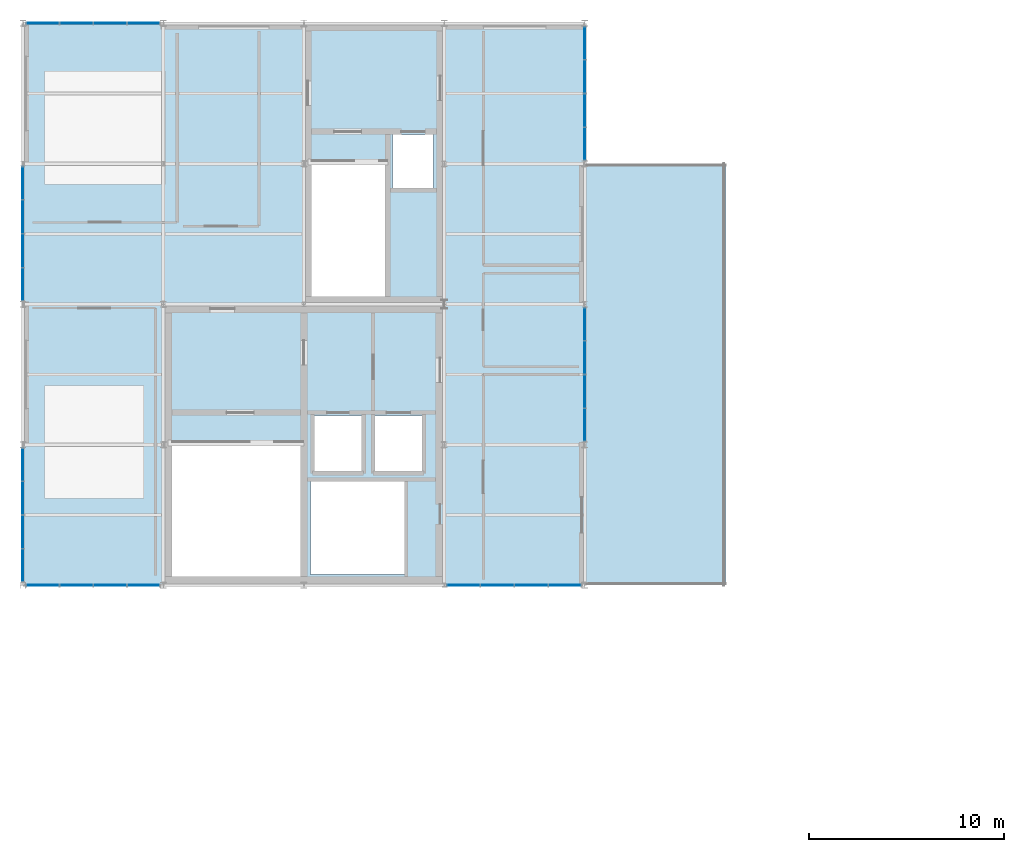
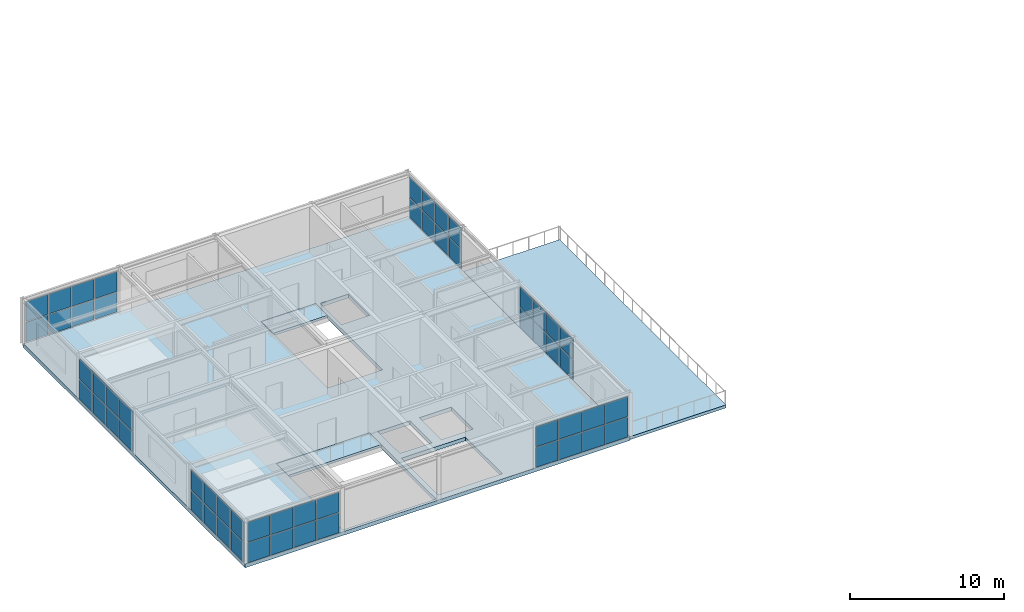
# One storey, part 6 of 12: 56 plates, 4 slabs, 7 elements without a shape of their own.
"""IFC4 building model written with IfcOpenShell, lengths in metres."""

from ifc_helpers import new_model, si_unit, direction, frame, origin, origin_2d, place, context, subcontext, project, spatial, polyline, rectangle, outline, extrude, material, layer, layer_set, type_object, element, aggregate, save


model = new_model("IFC4")

# Units and contexts
model_context = context("Model", 3, precision=1e-05, world=origin(), true_north=direction((0.0, 1.0)))
body_context = subcontext(model_context, "Body", "Model", "MODEL_VIEW")
ifc_project = project(units=[si_unit("LENGTHUNIT", "METRE"), si_unit("AREAUNIT", "SQUARE_METRE"), si_unit("VOLUMEUNIT", "CUBIC_METRE"), si_unit("PLANEANGLEUNIT", "RADIAN"), si_unit("MASSUNIT", "GRAM", prefix="KILO")], contexts=[model_context])

# Site, building, storey
site_placement = place(None, origin())
site = spatial("IfcSite", under=ifc_project, at=site_placement, CompositionType="ELEMENT")
building_placement = place(site_placement, origin())
building = spatial("IfcBuilding", under=site, at=building_placement, Name="Leyfeld Transit Interchange", CompositionType="ELEMENT")
storey_placement = place(building_placement, frame((0.0, 0.0, 21.60009765625)))
storey = spatial("IfcBuildingStorey", under=building, at=storey_placement, Name="L05", CompositionType="ELEMENT", Elevation=21.60009765625)

# Curtain wall, plates
ifc_material_1 = material(Name="Anodised aluminium EN AW-6060 T66", Category="aluminium")
curtain_wall_type = type_object("IfcCurtainWallType", Name="CW-SYS-OPS-7200", PredefinedType="NOTDEFINED", material=ifc_material_1)
curtain_wall_1_placement = place(storey_placement, origin())
curtain_wall_1 = element("IfcCurtainWall", 1, at=curtain_wall_1_placement, inside=storey, type_object=curtain_wall_type, Name="Curtain Wall CW-L05-145", PredefinedType="NOTDEFINED")
ifc_material_2 = material(Name="Triple low-E insulated glazing", Category="glass")
ifc_layer_1 = layer(ifc_material_2, 0.0439453125, Name="Triple low-E insulated glazing")
ifc_layer_set_1 = layer_set([ifc_layer_1], Name="Triple low-E insulated glazing")
plate_type = type_object("IfcPlateType", Name="CW-PNL-GLZ-44", PredefinedType="CURTAIN_PANEL", material=ifc_layer_set_1)
plate_1_placement = place(storey_placement, frame((0.0, 94.62109375, 0.0634765625), z_axis=(0.0, 0.0, 1.0), x_axis=(0.0, 1.0, 0.0)))
plate_1 = element("IfcPlate", 2, at=plate_1_placement, type_object=plate_type, Name="Glazed Curtain Panel CW-L05-145-P01_1", PredefinedType="CURTAIN_PANEL", context=body_context, shape_type="SweptSolid", body=[
    extrude(rectangle(XDim=1.635498046875, YDim=0.0439453125, at=origin_2d()), origin(), (0.0, 0.0, 1.0), 1.5654296875),
])
plate_2_placement = place(storey_placement, frame((0.0, 94.62109375, 1.69091796875), z_axis=(0.0, 0.0, 1.0), x_axis=(0.0, 1.0, 0.0)))
plate_2 = element("IfcPlate", 3, at=plate_2_placement, type_object=plate_type, Name="Glazed Curtain Panel CW-L05-145-P01_2", PredefinedType="CURTAIN_PANEL", context=body_context, shape_type="SweptSolid", body=[
    extrude(rectangle(XDim=1.635498046875, YDim=0.0439453125, at=origin_2d()), origin(), (0.0, 0.0, 1.0), 1.5654296875),
])
plate_3_placement = place(storey_placement, frame((0.0, 96.3349609375, 0.0634765625), z_axis=(0.0, 0.0, 1.0), x_axis=(0.0, 1.0, 0.0)))
plate_3 = element("IfcPlate", 4, at=plate_3_placement, type_object=plate_type, Name="Glazed Curtain Panel CW-L05-145-P02_1", PredefinedType="CURTAIN_PANEL", context=body_context, shape_type="SweptSolid", body=[
    extrude(rectangle(XDim=1.66796875, YDim=0.0439453125, at=origin_2d()), origin(), (0.0, 0.0, 1.0), 1.5654296875),
])
plate_4_placement = place(storey_placement, frame((0.0, 96.3349609375, 1.69091796875), z_axis=(0.0, 0.0, 1.0), x_axis=(0.0, 1.0, 0.0)))
plate_4 = element("IfcPlate", 5, at=plate_4_placement, type_object=plate_type, Name="Glazed Curtain Panel CW-L05-145-P02_2", PredefinedType="CURTAIN_PANEL", context=body_context, shape_type="SweptSolid", body=[
    extrude(rectangle(XDim=1.66796875, YDim=0.0439453125, at=origin_2d()), origin(), (0.0, 0.0, 1.0), 1.5654296875),
])
plate_5_placement = place(storey_placement, frame((0.0, 98.06494140625, 0.0634765625), z_axis=(0.0, 0.0, 1.0), x_axis=(0.0, 1.0, 0.0)))
plate_5 = element("IfcPlate", 6, at=plate_5_placement, type_object=plate_type, Name="Glazed Curtain Panel CW-L05-145-P03_1", PredefinedType="CURTAIN_PANEL", context=body_context, shape_type="SweptSolid", body=[
    extrude(rectangle(XDim=1.66796875, YDim=0.0439453125, at=origin_2d()), origin(), (0.0, 0.0, 1.0), 1.5654296875),
])
plate_6_placement = place(storey_placement, frame((0.0, 98.06494140625, 1.69091796875), z_axis=(0.0, 0.0, 1.0), x_axis=(0.0, 1.0, 0.0)))
plate_6 = element("IfcPlate", 7, at=plate_6_placement, type_object=plate_type, Name="Glazed Curtain Panel CW-L05-145-P03_2", PredefinedType="CURTAIN_PANEL", context=body_context, shape_type="SweptSolid", body=[
    extrude(rectangle(XDim=1.66796875, YDim=0.0439453125, at=origin_2d()), origin(), (0.0, 0.0, 1.0), 1.5654296875),
])
plate_7_placement = place(storey_placement, frame((0.0, 99.77880859375, 0.0634765625), z_axis=(0.0, 0.0, 1.0), x_axis=(0.0, 1.0, 0.0)))
plate_7 = element("IfcPlate", 8, at=plate_7_placement, type_object=plate_type, Name="Glazed Curtain Panel CW-L05-145-P04_1", PredefinedType="CURTAIN_PANEL", context=body_context, shape_type="SweptSolid", body=[
    extrude(rectangle(XDim=1.635498046875, YDim=0.0439453125, at=origin_2d()), origin(), (0.0, 0.0, 1.0), 1.5654296875),
])
plate_8_placement = place(storey_placement, frame((0.0, 99.77880859375, 1.69091796875), z_axis=(0.0, 0.0, 1.0), x_axis=(0.0, 1.0, 0.0)))
plate_8 = element("IfcPlate", 9, at=plate_8_placement, type_object=plate_type, Name="Glazed Curtain Panel CW-L05-145-P04_2", PredefinedType="CURTAIN_PANEL", context=body_context, shape_type="SweptSolid", body=[
    extrude(rectangle(XDim=1.635498046875, YDim=0.0439453125, at=origin_2d()), origin(), (0.0, 0.0, 1.0), 1.5654296875),
])
aggregate(curtain_wall_1, [plate_1, plate_2, plate_3, plate_4, plate_5, plate_6, plate_7, plate_8])

curtain_wall_2_placement = place(storey_placement, origin())
curtain_wall_2 = element("IfcCurtainWall", 10, at=curtain_wall_2_placement, inside=storey, type_object=curtain_wall_type, Name="Curtain Wall CW-L05-146", PredefinedType="NOTDEFINED")
plate_9_placement = place(storey_placement, frame((0.0, 109.02197265625, 0.0634765625), z_axis=(0.0, 0.0, 1.0), x_axis=(0.0, 1.0, 0.0)))
plate_9 = element("IfcPlate", 11, at=plate_9_placement, type_object=plate_type, Name="Glazed Curtain Panel CW-L05-146-P01_1", PredefinedType="CURTAIN_PANEL", context=body_context, shape_type="SweptSolid", body=[
    extrude(rectangle(XDim=1.646728515625, YDim=0.0439453125, at=origin_2d()), origin(), (0.0, 0.0, 1.0), 1.5654296875),
])
plate_10_placement = place(storey_placement, frame((0.0, 109.02197265625, 1.69091796875), z_axis=(0.0, 0.0, 1.0), x_axis=(0.0, 1.0, 0.0)))
plate_10 = element("IfcPlate", 12, at=plate_10_placement, type_object=plate_type, Name="Glazed Curtain Panel CW-L05-146-P01_2", PredefinedType="CURTAIN_PANEL", context=body_context, shape_type="SweptSolid", body=[
    extrude(rectangle(XDim=1.646728515625, YDim=0.0439453125, at=origin_2d()), origin(), (0.0, 0.0, 1.0), 1.5654296875),
])
plate_11_placement = place(storey_placement, frame((0.0, 110.746826171875, 0.0634765625), z_axis=(0.0, 0.0, 1.0), x_axis=(0.0, 1.0, 0.0)))
plate_11 = element("IfcPlate", 13, at=plate_11_placement, type_object=plate_type, Name="Glazed Curtain Panel CW-L05-146-P02_1", PredefinedType="CURTAIN_PANEL", context=body_context, shape_type="SweptSolid", body=[
    extrude(rectangle(XDim=1.67919921875, YDim=0.0439453125, at=origin_2d()), origin(), (0.0, 0.0, 1.0), 1.5654296875),
])
plate_12_placement = place(storey_placement, frame((0.0, 110.746826171875, 1.69091796875), z_axis=(0.0, 0.0, 1.0), x_axis=(0.0, 1.0, 0.0)))
plate_12 = element("IfcPlate", 14, at=plate_12_placement, type_object=plate_type, Name="Glazed Curtain Panel CW-L05-146-P02_2", PredefinedType="CURTAIN_PANEL", context=body_context, shape_type="SweptSolid", body=[
    extrude(rectangle(XDim=1.67919921875, YDim=0.0439453125, at=origin_2d()), origin(), (0.0, 0.0, 1.0), 1.5654296875),
])
plate_13_placement = place(storey_placement, frame((0.0, 112.488037109375, 0.0634765625), z_axis=(0.0, 0.0, 1.0), x_axis=(0.0, 1.0, 0.0)))
plate_13 = element("IfcPlate", 15, at=plate_13_placement, type_object=plate_type, Name="Glazed Curtain Panel CW-L05-146-P03_1", PredefinedType="CURTAIN_PANEL", context=body_context, shape_type="SweptSolid", body=[
    extrude(rectangle(XDim=1.67919921875, YDim=0.0439453125, at=origin_2d()), origin(), (0.0, 0.0, 1.0), 1.5654296875),
])
plate_14_placement = place(storey_placement, frame((0.0, 112.488037109375, 1.69091796875), z_axis=(0.0, 0.0, 1.0), x_axis=(0.0, 1.0, 0.0)))
plate_14 = element("IfcPlate", 16, at=plate_14_placement, type_object=plate_type, Name="Glazed Curtain Panel CW-L05-146-P03_2", PredefinedType="CURTAIN_PANEL", context=body_context, shape_type="SweptSolid", body=[
    extrude(rectangle(XDim=1.67919921875, YDim=0.0439453125, at=origin_2d()), origin(), (0.0, 0.0, 1.0), 1.5654296875),
])
plate_15_placement = place(storey_placement, frame((0.0, 114.213134765625, 0.0634765625), z_axis=(0.0, 0.0, 1.0), x_axis=(0.0, 1.0, 0.0)))
plate_15 = element("IfcPlate", 17, at=plate_15_placement, type_object=plate_type, Name="Glazed Curtain Panel CW-L05-146-P04_1", PredefinedType="CURTAIN_PANEL", context=body_context, shape_type="SweptSolid", body=[
    extrude(rectangle(XDim=1.646728515625, YDim=0.0439453125, at=origin_2d()), origin(), (0.0, 0.0, 1.0), 1.5654296875),
])
plate_16_placement = place(storey_placement, frame((0.0, 114.213134765625, 1.69091796875), z_axis=(0.0, 0.0, 1.0), x_axis=(0.0, 1.0, 0.0)))
plate_16 = element("IfcPlate", 18, at=plate_16_placement, type_object=plate_type, Name="Glazed Curtain Panel CW-L05-146-P04_2", PredefinedType="CURTAIN_PANEL", context=body_context, shape_type="SweptSolid", body=[
    extrude(rectangle(XDim=1.646728515625, YDim=0.0439453125, at=origin_2d()), origin(), (0.0, 0.0, 1.0), 1.5654296875),
])
aggregate(curtain_wall_2, [plate_9, plate_10, plate_11, plate_12, plate_13, plate_14, plate_15, plate_16])

curtain_wall_3_placement = place(storey_placement, origin())
curtain_wall_3 = element("IfcCurtainWall", 19, at=curtain_wall_3_placement, inside=storey, type_object=curtain_wall_type, Name="Curtain Wall CW-L05-147", PredefinedType="NOTDEFINED")
plate_17_placement = place(storey_placement, frame((1.021240234375, 122.39990234375, 0.0634765625), z_axis=(0.0, 0.0, 1.0), x_axis=(1.0, 0.0, 0.0)))
plate_17 = element("IfcPlate", 20, at=plate_17_placement, type_object=plate_type, Name="Glazed Curtain Panel CW-L05-147-P01_1", PredefinedType="CURTAIN_PANEL", context=body_context, shape_type="SweptSolid", body=[
    extrude(rectangle(XDim=1.635498046875, YDim=0.0439453125, at=origin_2d()), origin(), (0.0, 0.0, 1.0), 1.5654296875),
])
plate_18_placement = place(storey_placement, frame((1.021240234375, 122.39990234375, 1.69091796875), z_axis=(0.0, 0.0, 1.0), x_axis=(1.0, 0.0, 0.0)))
plate_18 = element("IfcPlate", 21, at=plate_18_placement, type_object=plate_type, Name="Glazed Curtain Panel CW-L05-147-P01_2", PredefinedType="CURTAIN_PANEL", context=body_context, shape_type="SweptSolid", body=[
    extrude(rectangle(XDim=1.635498046875, YDim=0.0439453125, at=origin_2d()), origin(), (0.0, 0.0, 1.0), 1.5654296875),
])
plate_19_placement = place(storey_placement, frame((2.735107421875, 122.39990234375, 0.0634765625), z_axis=(0.0, 0.0, 1.0), x_axis=(1.0, 0.0, 0.0)))
plate_19 = element("IfcPlate", 22, at=plate_19_placement, type_object=plate_type, Name="Glazed Curtain Panel CW-L05-147-P02_1", PredefinedType="CURTAIN_PANEL", context=body_context, shape_type="SweptSolid", body=[
    extrude(rectangle(XDim=1.66796875, YDim=0.0439453125, at=origin_2d()), origin(), (0.0, 0.0, 1.0), 1.5654296875),
])
plate_20_placement = place(storey_placement, frame((2.735107421875, 122.39990234375, 1.69091796875), z_axis=(0.0, 0.0, 1.0), x_axis=(1.0, 0.0, 0.0)))
plate_20 = element("IfcPlate", 23, at=plate_20_placement, type_object=plate_type, Name="Glazed Curtain Panel CW-L05-147-P02_2", PredefinedType="CURTAIN_PANEL", context=body_context, shape_type="SweptSolid", body=[
    extrude(rectangle(XDim=1.66796875, YDim=0.0439453125, at=origin_2d()), origin(), (0.0, 0.0, 1.0), 1.5654296875),
])
plate_21_placement = place(storey_placement, frame((4.465087890625, 122.39990234375, 0.0634765625), z_axis=(0.0, 0.0, 1.0), x_axis=(1.0, 0.0, 0.0)))
plate_21 = element("IfcPlate", 24, at=plate_21_placement, type_object=plate_type, Name="Glazed Curtain Panel CW-L05-147-P03_1", PredefinedType="CURTAIN_PANEL", context=body_context, shape_type="SweptSolid", body=[
    extrude(rectangle(XDim=1.66796875, YDim=0.0439453125, at=origin_2d()), origin(), (0.0, 0.0, 1.0), 1.5654296875),
])
plate_22_placement = place(storey_placement, frame((4.465087890625, 122.39990234375, 1.69091796875), z_axis=(0.0, 0.0, 1.0), x_axis=(1.0, 0.0, 0.0)))
plate_22 = element("IfcPlate", 25, at=plate_22_placement, type_object=plate_type, Name="Glazed Curtain Panel CW-L05-147-P03_2", PredefinedType="CURTAIN_PANEL", context=body_context, shape_type="SweptSolid", body=[
    extrude(rectangle(XDim=1.66796875, YDim=0.0439453125, at=origin_2d()), origin(), (0.0, 0.0, 1.0), 1.5654296875),
])
plate_23_placement = place(storey_placement, frame((6.1787109375, 122.39990234375, 0.0634765625), z_axis=(0.0, 0.0, 1.0), x_axis=(1.0, 0.0, 0.0)))
plate_23 = element("IfcPlate", 26, at=plate_23_placement, type_object=plate_type, Name="Glazed Curtain Panel CW-L05-147-P04_1", PredefinedType="CURTAIN_PANEL", context=body_context, shape_type="SweptSolid", body=[
    extrude(rectangle(XDim=1.635498046875, YDim=0.0439453125, at=origin_2d()), origin(), (0.0, 0.0, 1.0), 1.5654296875),
])
plate_24_placement = place(storey_placement, frame((6.1787109375, 122.39990234375, 1.69091796875), z_axis=(0.0, 0.0, 1.0), x_axis=(1.0, 0.0, 0.0)))
plate_24 = element("IfcPlate", 27, at=plate_24_placement, type_object=plate_type, Name="Glazed Curtain Panel CW-L05-147-P04_2", PredefinedType="CURTAIN_PANEL", context=body_context, shape_type="SweptSolid", body=[
    extrude(rectangle(XDim=1.635498046875, YDim=0.0439453125, at=origin_2d()), origin(), (0.0, 0.0, 1.0), 1.5654296875),
])
aggregate(curtain_wall_3, [plate_17, plate_18, plate_19, plate_20, plate_21, plate_22, plate_23, plate_24])

curtain_wall_4_placement = place(storey_placement, origin())
curtain_wall_4 = element("IfcCurtainWall", 28, at=curtain_wall_4_placement, inside=storey, type_object=curtain_wall_type, Name="Curtain Wall CW-L05-148", PredefinedType="NOTDEFINED")
plate_25_placement = place(storey_placement, frame((28.800048828125, 121.37890625, 0.0634765625), z_axis=(0.0, 0.0, 1.0), x_axis=(0.0, -1.0, 0.0)))
plate_25 = element("IfcPlate", 29, at=plate_25_placement, type_object=plate_type, Name="Glazed Curtain Panel CW-L05-148-P01_1", PredefinedType="CURTAIN_PANEL", context=body_context, shape_type="SweptSolid", body=[
    extrude(rectangle(XDim=1.635498046875, YDim=0.0439453125, at=origin_2d()), origin(), (0.0, 0.0, 1.0), 1.5654296875),
])
plate_26_placement = place(storey_placement, frame((28.800048828125, 121.37890625, 1.69091796875), z_axis=(0.0, 0.0, 1.0), x_axis=(0.0, -1.0, 0.0)))
plate_26 = element("IfcPlate", 30, at=plate_26_placement, type_object=plate_type, Name="Glazed Curtain Panel CW-L05-148-P01_2", PredefinedType="CURTAIN_PANEL", context=body_context, shape_type="SweptSolid", body=[
    extrude(rectangle(XDim=1.635498046875, YDim=0.0439453125, at=origin_2d()), origin(), (0.0, 0.0, 1.0), 1.5654296875),
])
plate_27_placement = place(storey_placement, frame((28.800048828125, 119.6650390625, 0.0634765625), z_axis=(0.0, 0.0, 1.0), x_axis=(0.0, -1.0, 0.0)))
plate_27 = element("IfcPlate", 31, at=plate_27_placement, type_object=plate_type, Name="Glazed Curtain Panel CW-L05-148-P02_1", PredefinedType="CURTAIN_PANEL", context=body_context, shape_type="SweptSolid", body=[
    extrude(rectangle(XDim=1.66796875, YDim=0.0439453125, at=origin_2d()), origin(), (0.0, 0.0, 1.0), 1.5654296875),
])
plate_28_placement = place(storey_placement, frame((28.800048828125, 119.6650390625, 1.69091796875), z_axis=(0.0, 0.0, 1.0), x_axis=(0.0, -1.0, 0.0)))
plate_28 = element("IfcPlate", 32, at=plate_28_placement, type_object=plate_type, Name="Glazed Curtain Panel CW-L05-148-P02_2", PredefinedType="CURTAIN_PANEL", context=body_context, shape_type="SweptSolid", body=[
    extrude(rectangle(XDim=1.66796875, YDim=0.0439453125, at=origin_2d()), origin(), (0.0, 0.0, 1.0), 1.5654296875),
])
plate_29_placement = place(storey_placement, frame((28.800048828125, 117.93505859375, 0.0634765625), z_axis=(0.0, 0.0, 1.0), x_axis=(0.0, -1.0, 0.0)))
plate_29 = element("IfcPlate", 33, at=plate_29_placement, type_object=plate_type, Name="Glazed Curtain Panel CW-L05-148-P03_1", PredefinedType="CURTAIN_PANEL", context=body_context, shape_type="SweptSolid", body=[
    extrude(rectangle(XDim=1.66796875, YDim=0.0439453125, at=origin_2d()), origin(), (0.0, 0.0, 1.0), 1.5654296875),
])
plate_30_placement = place(storey_placement, frame((28.800048828125, 117.93505859375, 1.69091796875), z_axis=(0.0, 0.0, 1.0), x_axis=(0.0, -1.0, 0.0)))
plate_30 = element("IfcPlate", 34, at=plate_30_placement, type_object=plate_type, Name="Glazed Curtain Panel CW-L05-148-P03_2", PredefinedType="CURTAIN_PANEL", context=body_context, shape_type="SweptSolid", body=[
    extrude(rectangle(XDim=1.66796875, YDim=0.0439453125, at=origin_2d()), origin(), (0.0, 0.0, 1.0), 1.5654296875),
])
plate_31_placement = place(storey_placement, frame((28.800048828125, 116.22119140625, 0.0634765625), z_axis=(0.0, 0.0, 1.0), x_axis=(0.0, -1.0, 0.0)))
plate_31 = element("IfcPlate", 35, at=plate_31_placement, type_object=plate_type, Name="Glazed Curtain Panel CW-L05-148-P04_1", PredefinedType="CURTAIN_PANEL", context=body_context, shape_type="SweptSolid", body=[
    extrude(rectangle(XDim=1.635498046875, YDim=0.0439453125, at=origin_2d()), origin(), (0.0, 0.0, 1.0), 1.5654296875),
])
plate_32_placement = place(storey_placement, frame((28.800048828125, 116.22119140625, 1.69091796875), z_axis=(0.0, 0.0, 1.0), x_axis=(0.0, -1.0, 0.0)))
plate_32 = element("IfcPlate", 36, at=plate_32_placement, type_object=plate_type, Name="Glazed Curtain Panel CW-L05-148-P04_2", PredefinedType="CURTAIN_PANEL", context=body_context, shape_type="SweptSolid", body=[
    extrude(rectangle(XDim=1.635498046875, YDim=0.0439453125, at=origin_2d()), origin(), (0.0, 0.0, 1.0), 1.5654296875),
])
aggregate(curtain_wall_4, [plate_25, plate_26, plate_27, plate_28, plate_29, plate_30, plate_31, plate_32])

curtain_wall_5_placement = place(storey_placement, origin())
curtain_wall_5 = element("IfcCurtainWall", 37, at=curtain_wall_5_placement, inside=storey, type_object=curtain_wall_type, Name="Curtain Wall CW-L05-149", PredefinedType="NOTDEFINED")
plate_33_placement = place(storey_placement, frame((28.800048828125, 106.98681640625, 0.0634765625), z_axis=(0.0, 0.0, 1.0), x_axis=(0.0, -1.0, 0.0)))
plate_33 = element("IfcPlate", 38, at=plate_33_placement, type_object=plate_type, Name="Glazed Curtain Panel CW-L05-149-P01_1", PredefinedType="CURTAIN_PANEL", context=body_context, shape_type="SweptSolid", body=[
    extrude(rectangle(XDim=1.639404296875, YDim=0.0439453125, at=origin_2d()), origin(), (0.0, 0.0, 1.0), 1.5654296875),
])
plate_34_placement = place(storey_placement, frame((28.800048828125, 106.98681640625, 1.69091796875), z_axis=(0.0, 0.0, 1.0), x_axis=(0.0, -1.0, 0.0)))
plate_34 = element("IfcPlate", 39, at=plate_34_placement, type_object=plate_type, Name="Glazed Curtain Panel CW-L05-149-P01_2", PredefinedType="CURTAIN_PANEL", context=body_context, shape_type="SweptSolid", body=[
    extrude(rectangle(XDim=1.639404296875, YDim=0.0439453125, at=origin_2d()), origin(), (0.0, 0.0, 1.0), 1.5654296875),
])
plate_35_placement = place(storey_placement, frame((28.800048828125, 105.269287109375, 0.0634765625), z_axis=(0.0, 0.0, 1.0), x_axis=(0.0, -1.0, 0.0)))
plate_35 = element("IfcPlate", 40, at=plate_35_placement, type_object=plate_type, Name="Glazed Curtain Panel CW-L05-149-P02_1", PredefinedType="CURTAIN_PANEL", context=body_context, shape_type="SweptSolid", body=[
    extrude(rectangle(XDim=1.671630859375, YDim=0.0439453125, at=origin_2d()), origin(), (0.0, 0.0, 1.0), 1.5654296875),
])
plate_36_placement = place(storey_placement, frame((28.800048828125, 105.269287109375, 1.69091796875), z_axis=(0.0, 0.0, 1.0), x_axis=(0.0, -1.0, 0.0)))
plate_36 = element("IfcPlate", 41, at=plate_36_placement, type_object=plate_type, Name="Glazed Curtain Panel CW-L05-149-P02_2", PredefinedType="CURTAIN_PANEL", context=body_context, shape_type="SweptSolid", body=[
    extrude(rectangle(XDim=1.671630859375, YDim=0.0439453125, at=origin_2d()), origin(), (0.0, 0.0, 1.0), 1.5654296875),
])
plate_37_placement = place(storey_placement, frame((28.800048828125, 103.53564453125, 0.0634765625), z_axis=(0.0, 0.0, 1.0), x_axis=(0.0, -1.0, 0.0)))
plate_37 = element("IfcPlate", 42, at=plate_37_placement, type_object=plate_type, Name="Glazed Curtain Panel CW-L05-149-P03_1", PredefinedType="CURTAIN_PANEL", context=body_context, shape_type="SweptSolid", body=[
    extrude(rectangle(XDim=1.671875, YDim=0.0439453125, at=origin_2d()), origin(), (0.0, 0.0, 1.0), 1.5654296875),
])
plate_38_placement = place(storey_placement, frame((28.800048828125, 103.53564453125, 1.69091796875), z_axis=(0.0, 0.0, 1.0), x_axis=(0.0, -1.0, 0.0)))
plate_38 = element("IfcPlate", 43, at=plate_38_placement, type_object=plate_type, Name="Glazed Curtain Panel CW-L05-149-P03_2", PredefinedType="CURTAIN_PANEL", context=body_context, shape_type="SweptSolid", body=[
    extrude(rectangle(XDim=1.671875, YDim=0.0439453125, at=origin_2d()), origin(), (0.0, 0.0, 1.0), 1.5654296875),
])
plate_39_placement = place(storey_placement, frame((28.800048828125, 101.818115234375, 0.0634765625), z_axis=(0.0, 0.0, 1.0), x_axis=(0.0, -1.0, 0.0)))
plate_39 = element("IfcPlate", 44, at=plate_39_placement, type_object=plate_type, Name="Glazed Curtain Panel CW-L05-149-P04_1", PredefinedType="CURTAIN_PANEL", context=body_context, shape_type="SweptSolid", body=[
    extrude(rectangle(XDim=1.63916015625, YDim=0.0439453125, at=origin_2d()), origin(), (0.0, 0.0, 1.0), 1.5654296875),
])
plate_40_placement = place(storey_placement, frame((28.800048828125, 101.818115234375, 1.69091796875), z_axis=(0.0, 0.0, 1.0), x_axis=(0.0, -1.0, 0.0)))
plate_40 = element("IfcPlate", 45, at=plate_40_placement, type_object=plate_type, Name="Glazed Curtain Panel CW-L05-149-P04_2", PredefinedType="CURTAIN_PANEL", context=body_context, shape_type="SweptSolid", body=[
    extrude(rectangle(XDim=1.63916015625, YDim=0.0439453125, at=origin_2d()), origin(), (0.0, 0.0, 1.0), 1.5654296875),
])
aggregate(curtain_wall_5, [plate_33, plate_34, plate_35, plate_36, plate_37, plate_38, plate_39, plate_40])

curtain_wall_6_placement = place(storey_placement, origin())
curtain_wall_6 = element("IfcCurtainWall", 46, at=curtain_wall_6_placement, inside=storey, type_object=curtain_wall_type, Name="Curtain Wall CW-L05-150", PredefinedType="NOTDEFINED")
plate_41_placement = place(storey_placement, frame((27.7724609375, 93.60009765625, 0.0634765625), z_axis=(0.0, 0.0, 1.0), x_axis=(-1.0, 0.0, 0.0)))
plate_41 = element("IfcPlate", 47, at=plate_41_placement, type_object=plate_type, Name="Glazed Curtain Panel CW-L05-150-P01_1", PredefinedType="CURTAIN_PANEL", context=body_context, shape_type="SweptSolid", body=[
    extrude(rectangle(XDim=1.64794921875, YDim=0.0439453125, at=origin_2d()), origin(), (0.0, 0.0, 1.0), 1.5654296875),
])
plate_42_placement = place(storey_placement, frame((27.7724609375, 93.60009765625, 1.69091796875), z_axis=(0.0, 0.0, 1.0), x_axis=(-1.0, 0.0, 0.0)))
plate_42 = element("IfcPlate", 48, at=plate_42_placement, type_object=plate_type, Name="Glazed Curtain Panel CW-L05-150-P01_2", PredefinedType="CURTAIN_PANEL", context=body_context, shape_type="SweptSolid", body=[
    extrude(rectangle(XDim=1.64794921875, YDim=0.0439453125, at=origin_2d()), origin(), (0.0, 0.0, 1.0), 1.5654296875),
])
plate_43_placement = place(storey_placement, frame((26.04638671875, 93.60009765625, 0.0634765625), z_axis=(0.0, 0.0, 1.0), x_axis=(-1.0, 0.0, 0.0)))
plate_43 = element("IfcPlate", 49, at=plate_43_placement, type_object=plate_type, Name="Glazed Curtain Panel CW-L05-150-P02_1", PredefinedType="CURTAIN_PANEL", context=body_context, shape_type="SweptSolid", body=[
    extrude(rectangle(XDim=1.680419921875, YDim=0.0439453125, at=origin_2d()), origin(), (0.0, 0.0, 1.0), 1.5654296875),
])
plate_44_placement = place(storey_placement, frame((26.04638671875, 93.60009765625, 1.69091796875), z_axis=(0.0, 0.0, 1.0), x_axis=(-1.0, 0.0, 0.0)))
plate_44 = element("IfcPlate", 50, at=plate_44_placement, type_object=plate_type, Name="Glazed Curtain Panel CW-L05-150-P02_2", PredefinedType="CURTAIN_PANEL", context=body_context, shape_type="SweptSolid", body=[
    extrude(rectangle(XDim=1.680419921875, YDim=0.0439453125, at=origin_2d()), origin(), (0.0, 0.0, 1.0), 1.5654296875),
])
plate_45_placement = place(storey_placement, frame((24.3037109375, 93.60009765625, 0.0634765625), z_axis=(0.0, 0.0, 1.0), x_axis=(-1.0, 0.0, 0.0)))
plate_45 = element("IfcPlate", 51, at=plate_45_placement, type_object=plate_type, Name="Glazed Curtain Panel CW-L05-150-P03_1", PredefinedType="CURTAIN_PANEL", context=body_context, shape_type="SweptSolid", body=[
    extrude(rectangle(XDim=1.680419921875, YDim=0.0439453125, at=origin_2d()), origin(), (0.0, 0.0, 1.0), 1.5654296875),
])
plate_46_placement = place(storey_placement, frame((24.3037109375, 93.60009765625, 1.69091796875), z_axis=(0.0, 0.0, 1.0), x_axis=(-1.0, 0.0, 0.0)))
plate_46 = element("IfcPlate", 52, at=plate_46_placement, type_object=plate_type, Name="Glazed Curtain Panel CW-L05-150-P03_2", PredefinedType="CURTAIN_PANEL", context=body_context, shape_type="SweptSolid", body=[
    extrude(rectangle(XDim=1.680419921875, YDim=0.0439453125, at=origin_2d()), origin(), (0.0, 0.0, 1.0), 1.5654296875),
])
plate_47_placement = place(storey_placement, frame((22.577392578125, 93.60009765625, 0.0634765625), z_axis=(0.0, 0.0, 1.0), x_axis=(-1.0, 0.0, 0.0)))
plate_47 = element("IfcPlate", 53, at=plate_47_placement, type_object=plate_type, Name="Glazed Curtain Panel CW-L05-150-P04_1", PredefinedType="CURTAIN_PANEL", context=body_context, shape_type="SweptSolid", body=[
    extrude(rectangle(XDim=1.64794921875, YDim=0.0439453125, at=origin_2d()), origin(), (0.0, 0.0, 1.0), 1.5654296875),
])
plate_48_placement = place(storey_placement, frame((22.577392578125, 93.60009765625, 1.69091796875), z_axis=(0.0, 0.0, 1.0), x_axis=(-1.0, 0.0, 0.0)))
plate_48 = element("IfcPlate", 54, at=plate_48_placement, type_object=plate_type, Name="Glazed Curtain Panel CW-L05-150-P04_2", PredefinedType="CURTAIN_PANEL", context=body_context, shape_type="SweptSolid", body=[
    extrude(rectangle(XDim=1.64794921875, YDim=0.0439453125, at=origin_2d()), origin(), (0.0, 0.0, 1.0), 1.5654296875),
])
aggregate(curtain_wall_6, [plate_41, plate_42, plate_43, plate_44, plate_45, plate_46, plate_47, plate_48])

curtain_wall_7_placement = place(storey_placement, origin())
curtain_wall_7 = element("IfcCurtainWall", 55, at=curtain_wall_7_placement, inside=storey, type_object=curtain_wall_type, Name="Curtain Wall CW-L05-151", PredefinedType="NOTDEFINED")
plate_49_placement = place(storey_placement, frame((6.1787109375, 93.60009765625, 0.0634765625), z_axis=(0.0, 0.0, 1.0), x_axis=(-1.0, 0.0, 0.0)))
plate_49 = element("IfcPlate", 56, at=plate_49_placement, type_object=plate_type, Name="Glazed Curtain Panel CW-L05-151-P01_1", PredefinedType="CURTAIN_PANEL", context=body_context, shape_type="SweptSolid", body=[
    extrude(rectangle(XDim=1.635498046875, YDim=0.0439453125, at=origin_2d()), origin(), (0.0, 0.0, 1.0), 1.5654296875),
])
plate_50_placement = place(storey_placement, frame((6.1787109375, 93.60009765625, 1.69091796875), z_axis=(0.0, 0.0, 1.0), x_axis=(-1.0, 0.0, 0.0)))
plate_50 = element("IfcPlate", 57, at=plate_50_placement, type_object=plate_type, Name="Glazed Curtain Panel CW-L05-151-P01_2", PredefinedType="CURTAIN_PANEL", context=body_context, shape_type="SweptSolid", body=[
    extrude(rectangle(XDim=1.635498046875, YDim=0.0439453125, at=origin_2d()), origin(), (0.0, 0.0, 1.0), 1.5654296875),
])
plate_51_placement = place(storey_placement, frame((4.465087890625, 93.60009765625, 0.0634765625), z_axis=(0.0, 0.0, 1.0), x_axis=(-1.0, 0.0, 0.0)))
plate_51 = element("IfcPlate", 58, at=plate_51_placement, type_object=plate_type, Name="Glazed Curtain Panel CW-L05-151-P02_1", PredefinedType="CURTAIN_PANEL", context=body_context, shape_type="SweptSolid", body=[
    extrude(rectangle(XDim=1.66796875, YDim=0.0439453125, at=origin_2d()), origin(), (0.0, 0.0, 1.0), 1.5654296875),
])
plate_52_placement = place(storey_placement, frame((4.465087890625, 93.60009765625, 1.69091796875), z_axis=(0.0, 0.0, 1.0), x_axis=(-1.0, 0.0, 0.0)))
plate_52 = element("IfcPlate", 59, at=plate_52_placement, type_object=plate_type, Name="Glazed Curtain Panel CW-L05-151-P02_2", PredefinedType="CURTAIN_PANEL", context=body_context, shape_type="SweptSolid", body=[
    extrude(rectangle(XDim=1.66796875, YDim=0.0439453125, at=origin_2d()), origin(), (0.0, 0.0, 1.0), 1.5654296875),
])
plate_53_placement = place(storey_placement, frame((2.735107421875, 93.60009765625, 0.0634765625), z_axis=(0.0, 0.0, 1.0), x_axis=(-1.0, 0.0, 0.0)))
plate_53 = element("IfcPlate", 60, at=plate_53_placement, type_object=plate_type, Name="Glazed Curtain Panel CW-L05-151-P03_1", PredefinedType="CURTAIN_PANEL", context=body_context, shape_type="SweptSolid", body=[
    extrude(rectangle(XDim=1.66796875, YDim=0.0439453125, at=origin_2d()), origin(), (0.0, 0.0, 1.0), 1.5654296875),
])
plate_54_placement = place(storey_placement, frame((2.735107421875, 93.60009765625, 1.69091796875), z_axis=(0.0, 0.0, 1.0), x_axis=(-1.0, 0.0, 0.0)))
plate_54 = element("IfcPlate", 61, at=plate_54_placement, type_object=plate_type, Name="Glazed Curtain Panel CW-L05-151-P03_2", PredefinedType="CURTAIN_PANEL", context=body_context, shape_type="SweptSolid", body=[
    extrude(rectangle(XDim=1.66796875, YDim=0.0439453125, at=origin_2d()), origin(), (0.0, 0.0, 1.0), 1.5654296875),
])
plate_55_placement = place(storey_placement, frame((1.021240234375, 93.60009765625, 0.0634765625), z_axis=(0.0, 0.0, 1.0), x_axis=(-1.0, 0.0, 0.0)))
plate_55 = element("IfcPlate", 62, at=plate_55_placement, type_object=plate_type, Name="Glazed Curtain Panel CW-L05-151-P04_1", PredefinedType="CURTAIN_PANEL", context=body_context, shape_type="SweptSolid", body=[
    extrude(rectangle(XDim=1.635498046875, YDim=0.0439453125, at=origin_2d()), origin(), (0.0, 0.0, 1.0), 1.5654296875),
])
plate_56_placement = place(storey_placement, frame((1.021240234375, 93.60009765625, 1.69091796875), z_axis=(0.0, 0.0, 1.0), x_axis=(-1.0, 0.0, 0.0)))
plate_56 = element("IfcPlate", 63, at=plate_56_placement, type_object=plate_type, Name="Glazed Curtain Panel CW-L05-151-P04_2", PredefinedType="CURTAIN_PANEL", context=body_context, shape_type="SweptSolid", body=[
    extrude(rectangle(XDim=1.635498046875, YDim=0.0439453125, at=origin_2d()), origin(), (0.0, 0.0, 1.0), 1.5654296875),
])
aggregate(curtain_wall_7, [plate_49, plate_50, plate_51, plate_52, plate_53, plate_54, plate_55, plate_56])

# Slabs
ifc_material_3 = material(Name="Concrete C35/45", Category="concrete")
ifc_layer_2 = layer(ifc_material_3, 0.300048828125, Name="Concrete C35/45")
ifc_layer_set_2 = layer_set([ifc_layer_2], Name="Concrete C35/45")
slab_type_1 = type_object("IfcSlabType", Name="SLB-FLR-300", PredefinedType="FLOOR", material=ifc_layer_set_2)
slab_1_placement = place(storey_placement, frame((0.0, 0.0, -0.300048828125)))
element("IfcSlab", 64, at=slab_1_placement, inside=storey, type_object=slab_type_1, Name="Slab V5 L05 B1", PredefinedType="FLOOR", context=body_context, shape_type="SweptSolid", body=[
    extrude(outline(polyline([(0.0, 122.39990234375), (0.0, 93.625), (28.800048828125, 93.625), (28.800048828125, 122.39990234375), (0.0, 122.39990234375)]), holes=[polyline([(7.425048828125, 102.449951171875), (14.39990234375, 102.449951171875), (14.39990234375, 93.824951171875), (7.425048828125, 93.824951171875), (7.425048828125, 102.449951171875)]), polyline([(19.550048828125, 98.919921875), (19.550048828125, 94.14990234375), (14.75, 94.14990234375), (14.75, 98.919921875), (19.550048828125, 98.919921875)]), polyline([(17.35009765625, 99.449951171875), (14.949951171875, 99.449951171875), (14.949951171875, 102.300048828125), (17.35009765625, 102.300048828125), (17.35009765625, 99.449951171875)]), polyline([(18.050048828125, 99.449951171875), (18.050048828125, 102.300048828125), (20.449951171875, 102.300048828125), (20.449951171875, 99.449951171875), (18.050048828125, 99.449951171875)]), polyline([(14.60009765625, 116.85009765625), (18.699951171875, 116.85009765625), (18.699951171875, 108.199951171875), (14.60009765625, 108.199951171875), (14.60009765625, 116.85009765625)]), polyline([(21.050048828125, 116.699951171875), (21.050048828125, 113.949951171875), (18.949951171875, 113.949951171875), (18.949951171875, 116.699951171875), (21.050048828125, 116.699951171875)])]), origin(), (0.0, 0.0, 1.0), 0.300048828125),
])
ifc_material_4 = material(Name="Precast concrete C40/50", Category="concrete")
ifc_layer_3 = layer(ifc_material_4, 0.199951171875, Name="Precast concrete C40/50")
ifc_layer_set_3 = layer_set([ifc_layer_3], Name="Precast concrete C40/50")
slab_type_2 = type_object("IfcSlabType", Name="SLB-LND-200", PredefinedType="LANDING", material=ifc_layer_set_3)
slab_2_placement = place(storey_placement, frame((0.0, 0.0, -0.2001953125)))
element("IfcSlab", 65, at=slab_2_placement, inside=storey, type_object=slab_type_2, Name="Core K1 Stair Floor Landing L05", PredefinedType="LANDING", context=body_context, shape_type="SweptSolid", body=[
    extrude(outline(polyline([(7.429931640625, 100.89990234375), (14.39501953125, 100.89990234375), (14.39501953125, 102.445068359375), (7.429931640625, 102.445068359375), (7.429931640625, 100.89990234375)])), origin(), (0.0, 0.0, 1.0), 0.2001953125),
])
slab_3_placement = place(storey_placement, frame((0.0, 0.0, -0.2001953125)))
element("IfcSlab", 66, at=slab_3_placement, inside=storey, type_object=slab_type_2, Name="Core K2 Stair Floor Landing L05", PredefinedType="LANDING", context=body_context, shape_type="SweptSolid", body=[
    extrude(outline(polyline([(14.60498046875, 115.300048828125), (18.695068359375, 115.300048828125), (18.695068359375, 116.844970703125), (14.60498046875, 116.844970703125), (14.60498046875, 115.300048828125)])), origin(), (0.0, 0.0, 1.0), 0.2001953125),
])
ifc_layer_4 = layer(ifc_material_3, 0.239990234375, Name="Concrete C35/45")
ifc_layer_set_4 = layer_set([ifc_layer_4], Name="Concrete C35/45")
slab_type_3 = type_object("IfcSlabType", Name="SLB-TERR-240", PredefinedType="FLOOR", material=ifc_layer_set_4)
slab_4_placement = place(storey_placement, frame((0.0, 0.0, -0.239990234375)))
element("IfcSlab", 67, at=slab_4_placement, inside=storey, type_object=slab_type_3, Name="Outdoor Roof Terrace V5_TERR L05", PredefinedType="FLOOR", context=body_context, shape_type="SweptSolid", body=[
    extrude(outline(polyline([(28.800048828125, 93.625), (36.0, 93.625), (36.0, 115.199951171875), (28.800048828125, 115.199951171875), (28.800048828125, 93.625)])), origin(), (0.0, 0.0, 1.0), 0.239990234375),
])

save(model, "model.ifc")
